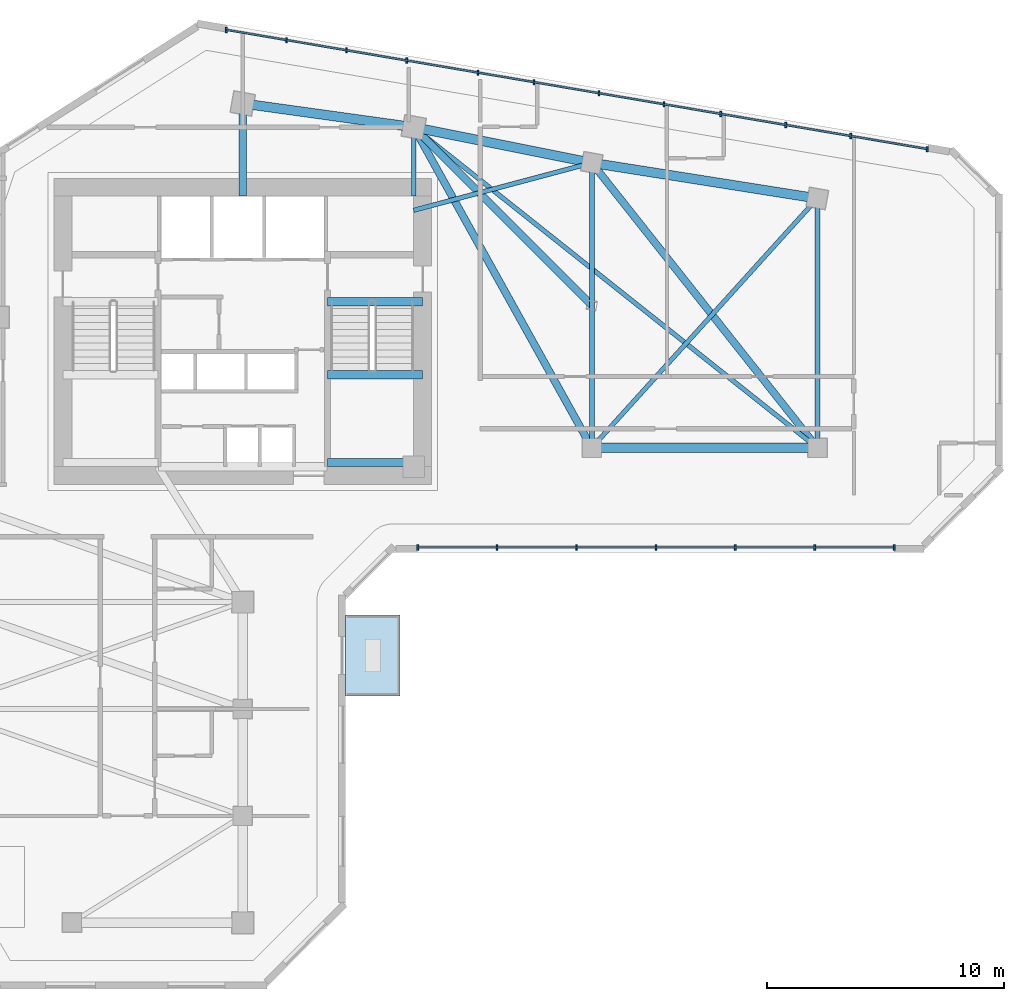
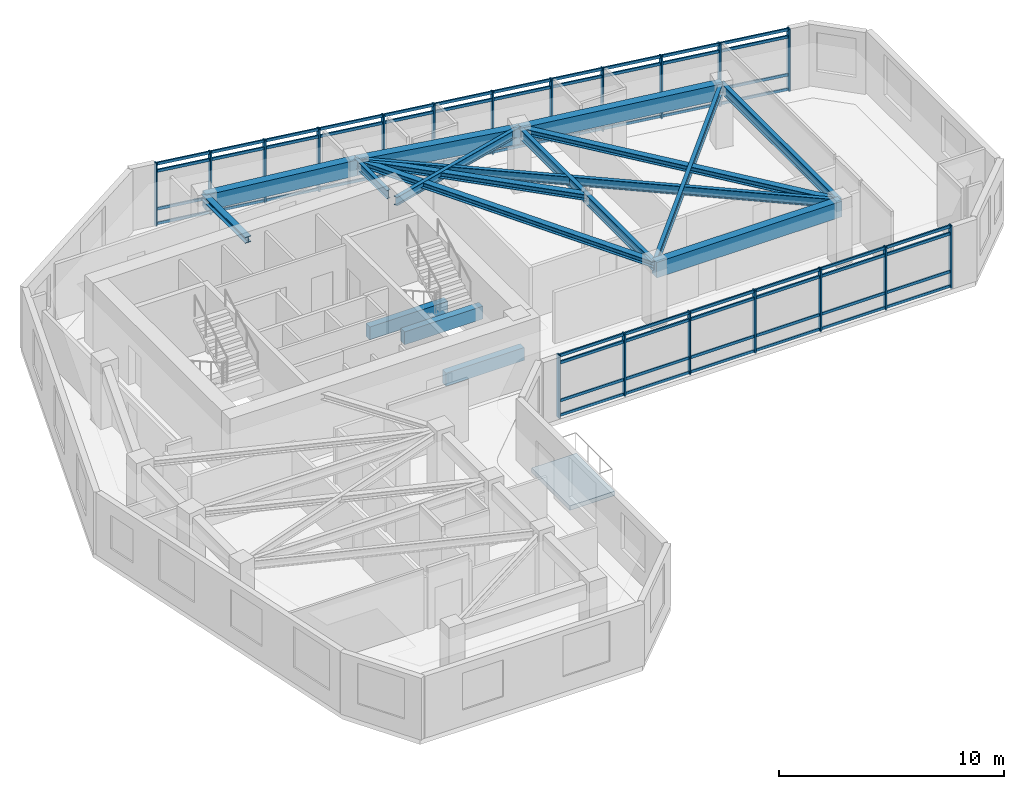
# One storey, part 2 of 10: 27 members, 17 beams, 1 slab, 2 elements without a shape of their own.
"""IFC4 building model written with IfcOpenShell, lengths in metres."""

from ifc_helpers import new_model, si_unit, direction, frame, origin, origin_2d, place, context, subcontext, project, spatial, polyline, rectangle, i_section, outline, extrude, source, transform, mapped, material, layer, layer_set, material_profile, profile_set, type_object, element, aggregate, save


model = new_model("IFC4")

# Units and contexts
model_context = context("Model", 3, precision=1e-05, world=origin(), true_north=direction((0.0, 1.0)))
body_context = subcontext(model_context, "Body", "Model", "MODEL_VIEW")
ifc_project = project(units=[si_unit("LENGTHUNIT", "METRE"), si_unit("AREAUNIT", "SQUARE_METRE"), si_unit("VOLUMEUNIT", "CUBIC_METRE"), si_unit("PLANEANGLEUNIT", "RADIAN"), si_unit("MASSUNIT", "GRAM", prefix="KILO")], contexts=[model_context])

# Site, building, storey
site_placement = place(None, origin())
site = spatial("IfcSite", under=ifc_project, at=site_placement, CompositionType="ELEMENT")
building_placement = place(site_placement, origin())
building = spatial("IfcBuilding", under=site, at=building_placement, Name="Calvemar Wedge Station Tower", CompositionType="ELEMENT")
storey_placement = place(building_placement, frame((0.0, 0.0, 150.199951171875)))
storey = spatial("IfcBuildingStorey", under=building, at=storey_placement, Name="L37", CompositionType="ELEMENT", Elevation=150.199951171875)

# Beams
ifc_material_1 = material(Name="Concrete C60", Category="concrete")
ifc_material_profile_1 = material_profile(ifc_material_1, rectangle(XDim=0.39990234375, YDim=0.85009765625, at=origin_2d()), Name="RC400x850")
ifc_profile_set_1 = profile_set([ifc_material_profile_1], Name="Concrete C60")
beam_type_1 = type_object("IfcBeamType", Name="BM-SP1-850", PredefinedType="SPANDREL", material=ifc_profile_set_1)
shared_shape_1 = source(origin(), body_context, "Body", "SweptSolid", [
    extrude(rectangle(XDim=0.39990234375, YDim=0.85009765625, at=origin_2d()), origin(), (0.0, 0.0, 1.0), 7.26904296875),
])
beam_1_placement = place(storey_placement, frame((23.800048828125, 49.5, 2.925048828125), z_axis=(0.990492146053, -0.13756928657, 0.0), x_axis=(0.13756928657, 0.990492146053, 0.0)))
element("IfcBeam", 1, at=beam_1_placement, inside=storey, type_object=beam_type_1, Name="Storey L37 Spandrel T-N1-T-N2", PredefinedType="SPANDREL", context=body_context, shape_type="MappedRepresentation", body=[
    mapped(shared_shape_1, transform((0.0, 0.0, 0.0), scale=1.0)),
])
shared_shape_2 = source(origin(), body_context, "Body", "SweptSolid", [
    extrude(rectangle(XDim=0.39990234375, YDim=0.85009765625, at=origin_2d()), origin(), (0.0, 0.0, 1.0), 7.6484375),
])
beam_2_placement = place(storey_placement, frame((31.0, 48.5, 2.925048828125), z_axis=(0.980580675691, -0.196116135138, 0.0), x_axis=(0.196116135138, 0.980580675691, 0.0)))
element("IfcBeam", 2, at=beam_2_placement, inside=storey, type_object=beam_type_1, Name="Storey L37 Spandrel T-N2-T-NU3", PredefinedType="SPANDREL", context=body_context, shape_type="MappedRepresentation", body=[
    mapped(shared_shape_2, transform((0.0, 0.0, 0.0), scale=1.0)),
])
shared_shape_3 = source(origin(), body_context, "Body", "SweptSolid", [
    extrude(rectangle(XDim=0.39990234375, YDim=0.85009765625, at=origin_2d()), origin(), (0.0, 0.0, 1.0), 9.61767578125),
])
beam_3_placement = place(storey_placement, frame((38.5, 47.0, 2.925048828125), z_axis=(0.987762965329, -0.155962573473, 0.0), x_axis=(0.155962573473, 0.987762965329, 0.0)))
element("IfcBeam", 3, at=beam_3_placement, inside=storey, type_object=beam_type_1, Name="Storey L37 Spandrel T-NU3-T-NU4", PredefinedType="SPANDREL", context=body_context, shape_type="MappedRepresentation", body=[
    mapped(shared_shape_3, transform((0.0, 0.0, 0.0), scale=1.0)),
])
shared_shape_4 = source(origin(), body_context, "Body", "SweptSolid", [
    extrude(rectangle(XDim=0.39990234375, YDim=0.85009765625, at=origin_2d()), origin(), (0.0, 0.0, 1.0), 9.5),
])
beam_4_placement = place(storey_placement, frame((38.5, 35.0, 2.925048828125), z_axis=(1.0, 0.0, 0.0), x_axis=(0.0, 1.0, 0.0)))
element("IfcBeam", 4, at=beam_4_placement, inside=storey, type_object=beam_type_1, Name="Storey L37 Spandrel T-NL2-T-NL3", PredefinedType="SPANDREL", context=body_context, shape_type="MappedRepresentation", body=[
    mapped(shared_shape_4, transform((0.0, 0.0, 0.0), scale=1.0)),
])
ifc_material_2 = material(Name="Structural steel ASTM A572 Grade 50", Category="steel")
ifc_material_profile_2 = material_profile(ifc_material_2, i_section(OverallWidth=0.30908203125, OverallDepth=0.322998046875, WebThickness=0.013916015625, FlangeThickness=0.02294921875, FilletRadius=0.014892578125, at=origin_2d()), Name="W310x143")
ifc_profile_set_2 = profile_set([ifc_material_profile_2], Name="Structural steel ASTM A572 Grade 50")
beam_type_2 = type_object("IfcBeamType", Name="BM-J5-W310H", PredefinedType="JOIST", material=ifc_profile_set_2)
shared_shape_5 = source(origin(), body_context, "Body", "SweptSolid", [
    extrude(i_section(OverallWidth=0.30908203125, OverallDepth=0.322998046875, WebThickness=0.013916015625, FlangeThickness=0.02294921875, FilletRadius=0.014892578125, at=origin_2d()), origin(), (0.0, 0.0, 1.0), 15.443359375),
])
beam_5_placement = place(storey_placement, frame((31.0, 48.5, 3.1884765625), z_axis=(0.485642931179, -0.874157276122, 0.0), x_axis=(0.874157276122, 0.485642931179, 0.0)))
element("IfcBeam", 5, at=beam_5_placement, inside=storey, type_object=beam_type_2, Name="Storey L37 Floor Beam T-N2-T-NL2", PredefinedType="JOIST", context=body_context, shape_type="MappedRepresentation", body=[
    mapped(shared_shape_5, transform((0.0, 0.0, 0.0), scale=1.0)),
])
ifc_material_profile_3 = material_profile(ifc_material_2, i_section(OverallWidth=0.19189453125, OverallDepth=0.462890625, WebThickness=0.010498046875, FlangeThickness=0.017578125, FilletRadius=0.012939453125, at=origin_2d()), Name="W460x89")
ifc_profile_set_3 = profile_set([ifc_material_profile_3], Name="Structural steel ASTM A572 Grade 50")
beam_type_3 = type_object("IfcBeamType", Name="BM-J1-W460", PredefinedType="JOIST", material=ifc_profile_set_3)
shared_shape_6 = source(origin(), body_context, "Body", "SweptSolid", [
    extrude(i_section(OverallWidth=0.19189453125, OverallDepth=0.462890625, WebThickness=0.010498046875, FlangeThickness=0.017578125, FilletRadius=0.012939453125, at=origin_2d()), origin(), (0.0, 0.0, 1.0), 21.708251953125),
])
beam_6_placement = place(storey_placement, frame((31.0, 48.5, 3.11865234375), z_axis=(0.783110847498, -0.621882143602, 0.0), x_axis=(0.621882143602, 0.783110847498, 0.0)))
element("IfcBeam", 6, at=beam_6_placement, inside=storey, type_object=beam_type_3, Name="Storey L37 Floor Beam T-N2-T-NL3", PredefinedType="JOIST", context=body_context, shape_type="MappedRepresentation", body=[
    mapped(shared_shape_6, transform((0.0, 0.0, 0.0), scale=1.0)),
])
shared_shape_7 = source(origin(), body_context, "Body", "SweptSolid", [
    extrude(i_section(OverallWidth=0.30908203125, OverallDepth=0.322998046875, WebThickness=0.013916015625, FlangeThickness=0.02294921875, FilletRadius=0.014892578125, at=origin_2d()), origin(), (0.0, 0.0, 1.0), 15.30517578125),
])
beam_7_placement = place(storey_placement, frame((38.5, 47.0, 3.1884765625), z_axis=(0.620702944366, -0.784045824462, 0.0), x_axis=(0.784045824462, 0.620702944366, 0.0)))
element("IfcBeam", 7, at=beam_7_placement, inside=storey, type_object=beam_type_2, Name="Storey L37 Floor Beam T-NU3-T-NL3", PredefinedType="JOIST", context=body_context, shape_type="MappedRepresentation", body=[
    mapped(shared_shape_7, transform((0.0, 0.0, 0.0), scale=1.0)),
])
shared_shape_8 = source(origin(), body_context, "Body", "SweptSolid", [
    extrude(i_section(OverallWidth=0.19189453125, OverallDepth=0.462890625, WebThickness=0.010498046875, FlangeThickness=0.017578125, FilletRadius=0.012939453125, at=origin_2d()), origin(), (0.0, 0.0, 1.0), 14.159912109375),
])
beam_8_placement = place(storey_placement, frame((38.5, 35.0, 3.11865234375), z_axis=(0.670913323969, 0.741535779124, 0.0), x_axis=(-0.741535779124, 0.670913323969, 0.0)))
element("IfcBeam", 8, at=beam_8_placement, inside=storey, type_object=beam_type_3, Name="Storey L37 Floor Beam T-NL2-T-NU4", PredefinedType="JOIST", context=body_context, shape_type="MappedRepresentation", body=[
    mapped(shared_shape_8, transform((0.0, 0.0, 0.0), scale=1.0)),
])
shared_shape_9 = source(origin(), body_context, "Body", "SweptSolid", [
    extrude(i_section(OverallWidth=0.19189453125, OverallDepth=0.462890625, WebThickness=0.010498046875, FlangeThickness=0.017578125, FilletRadius=0.012939453125, at=origin_2d()), origin(), (0.0, 0.0, 1.0), 7.76220703125),
])
beam_9_placement = place(storey_placement, frame((31.0, 45.0, 3.11865234375), z_axis=(0.966234939601, 0.25766265056, 0.0), x_axis=(-0.25766265056, 0.966234939601, 0.0)))
element("IfcBeam", 9, at=beam_9_placement, inside=storey, type_object=beam_type_3, Name="Storey L37 Core-to-Column Joist CJ-E2", PredefinedType="JOIST", context=body_context, shape_type="MappedRepresentation", body=[
    mapped(shared_shape_9, transform((0.0, 0.0, 0.0), scale=1.0)),
])
shared_shape_10 = source(origin(), body_context, "Body", "SweptSolid", [
    extrude(i_section(OverallWidth=0.30908203125, OverallDepth=0.322998046875, WebThickness=0.013916015625, FlangeThickness=0.02294921875, FilletRadius=0.014892578125, at=origin_2d()), origin(), (0.0, 0.0, 1.0), 3.89990234375),
])
beam_10_placement = place(storey_placement, frame((23.800048828125, 45.60009765625, 3.1884765625), z_axis=(0.0, 1.0, 0.0), x_axis=(-1.0, 0.0, 0.0)))
element("IfcBeam", 10, at=beam_10_placement, inside=storey, type_object=beam_type_2, Name="Storey L37 Core-to-Column Joist CJ-N1", PredefinedType="JOIST", context=body_context, shape_type="MappedRepresentation", body=[
    mapped(shared_shape_10, transform((0.0, 0.0, 0.0), scale=1.0)),
])
shared_shape_11 = source(origin(), body_context, "Body", "SweptSolid", [
    extrude(i_section(OverallWidth=0.19189453125, OverallDepth=0.462890625, WebThickness=0.010498046875, FlangeThickness=0.017578125, FilletRadius=0.012939453125, at=origin_2d()), origin(), (0.0, 0.0, 1.0), 2.89990234375),
])
beam_11_placement = place(storey_placement, frame((31.0, 45.60009765625, 3.11865234375), z_axis=(0.0, 1.0, 0.0), x_axis=(-1.0, 0.0, 0.0)))
element("IfcBeam", 11, at=beam_11_placement, inside=storey, type_object=beam_type_3, Name="Storey L37 Core-to-Column Joist CJ-N2", PredefinedType="JOIST", context=body_context, shape_type="MappedRepresentation", body=[
    mapped(shared_shape_11, transform((0.0, 0.0, 0.0), scale=1.0)),
])
ifc_material_3 = material(Name="Concrete C70", Category="concrete")
ifc_material_profile_4 = material_profile(ifc_material_3, rectangle(XDim=0.35009765625, YDim=0.699951171875, at=origin_2d()), Name="RC350x700")
ifc_profile_set_4 = profile_set([ifc_material_profile_4], Name="Concrete C70")
beam_type_4 = type_object("IfcBeamType", Name="BM-LN1-700", PredefinedType="LINTEL", material=ifc_profile_set_4)
shared_shape_12 = source(origin(), body_context, "Body", "SweptSolid", [
    extrude(rectangle(XDim=0.35009765625, YDim=0.699951171875, at=origin_2d()), origin(), (0.0, 0.0, 1.0), 4.0048828125),
])
for number, where, z_axis, x_axis, name in (
    (12, (27.3701171875, 41.14990234375, -0.349853515625), (1.0, 0.0, 0.0), (0.0, 1.0, 0.0), "Storey L37 Stair ST-C2 Landing Trimmer Beam"),
    (13, (27.3701171875, 34.3798828125, 1.25), (1.0, 0.0, 0.0), (0.0, 1.0, 0.0), "Storey L37 Stair ST-C2 Half-Landing Beam 1A"),
    (14, (27.3701171875, 38.070068359375, 1.25), (1.0, 0.0, 0.0), (0.0, 1.0, 0.0), "Storey L37 Stair ST-C2 Half-Landing Beam 1B"),
):
    element("IfcBeam", number, at=place(storey_placement, frame(where, z_axis=z_axis, x_axis=x_axis)), inside=storey, type_object=beam_type_4, Name=name, PredefinedType="LINTEL", context=body_context, shape_type="MappedRepresentation", body=[
        mapped(shared_shape_12, transform((0.0, 0.0, 0.0), scale=1.0)),
    ])
ifc_material_profile_5 = material_profile(ifc_material_2, i_section(OverallWidth=0.2109375, OverallDepth=0.5390625, WebThickness=0.01171875, FlangeThickness=0.018798828125, FilletRadius=0.012939453125, at=origin_2d()), Name="W530x109")
ifc_profile_set_5 = profile_set([ifc_material_profile_5], Name="Structural steel ASTM A572 Grade 50")
beam_type_5 = type_object("IfcBeamType", Name="BM-SB4-W530", PredefinedType="BEAM", material=ifc_profile_set_5)
shared_shape_13 = source(origin(), body_context, "Body", "SweptSolid", [
    extrude(i_section(OverallWidth=0.2109375, OverallDepth=0.5390625, WebThickness=0.01171875, FlangeThickness=0.018798828125, FilletRadius=0.012939453125, at=origin_2d()), origin(), (0.0, 0.0, 1.0), 12.0),
])
beam_12_placement = place(storey_placement, frame((38.5, 47.0, 3.08056640625), z_axis=(0.0, -1.0, 0.0), x_axis=(1.0, 0.0, 0.0)))
element("IfcBeam", 15, at=beam_12_placement, inside=storey, type_object=beam_type_5, Name="Storey L37 Floor Beam T-NU3-T-NL2", PredefinedType="BEAM", context=body_context, shape_type="MappedRepresentation", body=[
    mapped(shared_shape_13, transform((0.0, 0.0, 0.0), scale=1.0)),
])
shared_shape_14 = source(origin(), body_context, "Body", "SweptSolid", [
    extrude(i_section(OverallWidth=0.2109375, OverallDepth=0.5390625, WebThickness=0.01171875, FlangeThickness=0.018798828125, FilletRadius=0.012939453125, at=origin_2d()), origin(), (0.0, 0.0, 1.0), 10.5),
])
beam_13_placement = place(storey_placement, frame((48.0, 45.5, 3.08056640625), z_axis=(0.0, -1.0, 0.0), x_axis=(1.0, 0.0, 0.0)))
element("IfcBeam", 16, at=beam_13_placement, inside=storey, type_object=beam_type_5, Name="Storey L37 Floor Beam T-NU4-T-NL3", PredefinedType="BEAM", context=body_context, shape_type="MappedRepresentation", body=[
    mapped(shared_shape_14, transform((0.0, 0.0, 0.0), scale=1.0)),
])
shared_shape_15 = source(origin(), body_context, "Body", "SweptSolid", [
    extrude(i_section(OverallWidth=0.30908203125, OverallDepth=0.322998046875, WebThickness=0.013916015625, FlangeThickness=0.02294921875, FilletRadius=0.014892578125, at=origin_2d()), origin(), (0.0, 0.0, 1.0), 10.606689453125),
])
beam_14_placement = place(storey_placement, frame((38.5, 41.0, 3.1884765625), z_axis=(-0.707106781187, 0.707106781187, 0.0), x_axis=(-0.707106781187, -0.707106781187, 0.0)))
element("IfcBeam", 17, at=beam_14_placement, inside=storey, type_object=beam_type_2, Name="Storey L37 Floor Beam T-NTIP-B-T-N2", PredefinedType="JOIST", context=body_context, shape_type="MappedRepresentation", body=[
    mapped(shared_shape_15, transform((0.0, 0.0, 0.0), scale=1.0)),
])

# Curtain wall, members
ifc_material_4 = material(Name="Anodised aluminium 6063-T6", Category="aluminium")
curtain_wall_type = type_object("IfcCurtainWallType", Name="CW2", PredefinedType="NOTDEFINED", material=ifc_material_4)
curtain_wall_1_placement = place(storey_placement, origin())
curtain_wall_1 = element("IfcCurtainWall", 18, at=curtain_wall_1_placement, inside=storey, type_object=curtain_wall_type, Name="Storey L37 CW2 Recessed Unitised Curtain Wall 10", PredefinedType="NOTDEFINED")
ifc_material_profile_6 = material_profile(ifc_material_4, rectangle(XDim=0.074951171875, YDim=0.14990234375, at=origin_2d()), Name="AL-TRN-75x150")
ifc_profile_set_6 = profile_set([ifc_material_profile_6], Name="Anodised aluminium 6063-T6")
member_type_1 = type_object("IfcMemberType", Name="CW2-TRN", PredefinedType="USERDEFINED", material=ifc_profile_set_6)
shared_shape_16 = source(origin(), body_context, "Body", "SweptSolid", [
    extrude(rectangle(XDim=0.074951171875, YDim=0.14990234375, at=origin_2d()), origin(), (0.0, 0.0, 1.0), 29.950927734375),
])
member_1_placement = place(storey_placement, frame((52.63330078125, 47.577392578125, 0.06005859375), z_axis=(-0.985845487877, 0.167656416615, 0.0), x_axis=(-0.167656416615, -0.985845487877, 0.0)))
member_1 = element("IfcMember", 19, at=member_1_placement, type_object=member_type_1, Name="CW2 transom 1", ObjectType="TRANSOM", PredefinedType="USERDEFINED", context=body_context, shape_type="MappedRepresentation", body=[
    mapped(shared_shape_16, transform((0.0, 0.0, 0.0), scale=1.0)),
])
member_2_placement = place(storey_placement, frame((52.63330078125, 47.577392578125, 0.85009765625), z_axis=(-0.985845487877, 0.167656416615, 0.0), x_axis=(-0.167656416615, -0.985845487877, 0.0)))
member_2 = element("IfcMember", 20, at=member_2_placement, type_object=member_type_1, Name="CW2 transom 2", ObjectType="TRANSOM", PredefinedType="USERDEFINED", context=body_context, shape_type="MappedRepresentation", body=[
    mapped(shared_shape_16, transform((0.0, 0.0, 0.0), scale=1.0)),
])
member_3_placement = place(storey_placement, frame((52.63330078125, 47.577392578125, 2.900146484375), z_axis=(-0.985845487877, 0.167656416615, 0.0), x_axis=(-0.167656416615, -0.985845487877, 0.0)))
member_3 = element("IfcMember", 21, at=member_3_placement, type_object=member_type_1, Name="CW2 transom 3", ObjectType="TRANSOM", PredefinedType="USERDEFINED", context=body_context, shape_type="MappedRepresentation", body=[
    mapped(shared_shape_16, transform((0.0, 0.0, 0.0), scale=1.0)),
])
member_4_placement = place(storey_placement, frame((52.63330078125, 47.577392578125, 3.2900390625), z_axis=(-0.985845487877, 0.167656416615, 0.0), x_axis=(-0.167656416615, -0.985845487877, 0.0)))
member_4 = element("IfcMember", 22, at=member_4_placement, type_object=member_type_1, Name="CW2 transom 4", ObjectType="TRANSOM", PredefinedType="USERDEFINED", context=body_context, shape_type="MappedRepresentation", body=[
    mapped(shared_shape_16, transform((0.0, 0.0, 0.0), scale=1.0)),
])

curtain_wall_2_placement = place(storey_placement, origin())
curtain_wall_2 = element("IfcCurtainWall", 23, at=curtain_wall_2_placement, inside=storey, type_object=curtain_wall_type, Name="Storey L37 CW2 Recessed Unitised Curtain Wall 6", PredefinedType="NOTDEFINED")
ifc_material_profile_7 = material_profile(ifc_material_4, rectangle(XDim=0.074951171875, YDim=0.219970703125, at=origin_2d()), Name="AL-MUL-75x220")
ifc_profile_set_7 = profile_set([ifc_material_profile_7], Name="Anodised aluminium 6063-T6")
member_type_2 = type_object("IfcMemberType", Name="CW2-MUL", PredefinedType="MULLION", material=ifc_profile_set_7)
shared_shape_17 = source(origin(), body_context, "Body", "SweptSolid", [
    extrude(rectangle(XDim=0.074951171875, YDim=0.219970703125, at=origin_2d()), origin(), (0.0, 0.0, 1.0), 3.400146484375),
])
member_5_placement = place(storey_placement, frame((31.166015625, 30.802001953125, -0.050048828125), z_axis=(0.0, 0.0, 1.0), x_axis=(1.0, 0.0, 0.0)))
member_5 = element("IfcMember", 24, at=member_5_placement, type_object=member_type_2, Name="CW2 mullion 1", PredefinedType="MULLION", context=body_context, shape_type="MappedRepresentation", body=[
    mapped(shared_shape_17, transform((0.0, 0.0, 0.0), scale=1.0)),
])
member_6_placement = place(storey_placement, frame((34.51123046875, 30.802001953125, -0.050048828125), z_axis=(0.0, 0.0, 1.0), x_axis=(1.0, 0.0, 0.0)))
member_6 = element("IfcMember", 25, at=member_6_placement, type_object=member_type_2, Name="CW2 mullion 2", PredefinedType="MULLION", context=body_context, shape_type="MappedRepresentation", body=[
    mapped(shared_shape_17, transform((0.0, 0.0, 0.0), scale=1.0)),
])
member_7_placement = place(storey_placement, frame((37.856689453125, 30.802001953125, -0.050048828125), z_axis=(0.0, 0.0, 1.0), x_axis=(1.0, 0.0, 0.0)))
member_7 = element("IfcMember", 26, at=member_7_placement, type_object=member_type_2, Name="CW2 mullion 3", PredefinedType="MULLION", context=body_context, shape_type="MappedRepresentation", body=[
    mapped(shared_shape_17, transform((0.0, 0.0, 0.0), scale=1.0)),
])
member_8_placement = place(storey_placement, frame((41.201904296875, 30.802001953125, -0.050048828125), z_axis=(0.0, 0.0, 1.0), x_axis=(1.0, 0.0, 0.0)))
member_8 = element("IfcMember", 27, at=member_8_placement, type_object=member_type_2, Name="CW2 mullion 4", PredefinedType="MULLION", context=body_context, shape_type="MappedRepresentation", body=[
    mapped(shared_shape_17, transform((0.0, 0.0, 0.0), scale=1.0)),
])
member_9_placement = place(storey_placement, frame((44.547119140625, 30.802001953125, -0.050048828125), z_axis=(0.0, 0.0, 1.0), x_axis=(1.0, 0.0, 0.0)))
member_9 = element("IfcMember", 28, at=member_9_placement, type_object=member_type_2, Name="CW2 mullion 5", PredefinedType="MULLION", context=body_context, shape_type="MappedRepresentation", body=[
    mapped(shared_shape_17, transform((0.0, 0.0, 0.0), scale=1.0)),
])
member_10_placement = place(storey_placement, frame((47.892578125, 30.802001953125, -0.050048828125), z_axis=(0.0, 0.0, 1.0), x_axis=(1.0, 0.0, 0.0)))
member_10 = element("IfcMember", 29, at=member_10_placement, type_object=member_type_2, Name="CW2 mullion 6", PredefinedType="MULLION", context=body_context, shape_type="MappedRepresentation", body=[
    mapped(shared_shape_17, transform((0.0, 0.0, 0.0), scale=1.0)),
])
member_11_placement = place(storey_placement, frame((51.23779296875, 30.802001953125, -0.050048828125), z_axis=(0.0, 0.0, 1.0), x_axis=(1.0, 0.0, 0.0)))
member_11 = element("IfcMember", 30, at=member_11_placement, type_object=member_type_2, Name="CW2 mullion 7", PredefinedType="MULLION", context=body_context, shape_type="MappedRepresentation", body=[
    mapped(shared_shape_17, transform((0.0, 0.0, 0.0), scale=1.0)),
])

# Member
member_12_placement = place(storey_placement, frame((52.63330078125, 47.577392578125, -0.050048828125), z_axis=(0.0, 0.0, 1.0), x_axis=(1.0, 0.0, 0.0)))
member_12 = element("IfcMember", 31, at=member_12_placement, type_object=member_type_2, Name="CW2 mullion 1", PredefinedType="MULLION", context=body_context, shape_type="MappedRepresentation", body=[
    mapped(shared_shape_17, transform((0.0, 0.0, 0.0), scale=1.0)),
])

member_13_placement = place(storey_placement, frame((49.40625, 48.126220703125, -0.050048828125), z_axis=(0.0, 0.0, 1.0), x_axis=(1.0, 0.0, 0.0)))
member_13 = element("IfcMember", 32, at=member_13_placement, type_object=member_type_2, Name="CW2 mullion 2", PredefinedType="MULLION", context=body_context, shape_type="MappedRepresentation", body=[
    mapped(shared_shape_17, transform((0.0, 0.0, 0.0), scale=1.0)),
])

member_14_placement = place(storey_placement, frame((46.67236328125, 48.591064453125, -0.050048828125), z_axis=(0.0, 0.0, 1.0), x_axis=(1.0, 0.0, 0.0)))
member_14 = element("IfcMember", 33, at=member_14_placement, type_object=member_type_2, Name="CW2 mullion 3", PredefinedType="MULLION", context=body_context, shape_type="MappedRepresentation", body=[
    mapped(shared_shape_17, transform((0.0, 0.0, 0.0), scale=1.0)),
])

member_15_placement = place(storey_placement, frame((43.938232421875, 49.05615234375, -0.050048828125), z_axis=(0.0, 0.0, 1.0), x_axis=(1.0, 0.0, 0.0)))
member_15 = element("IfcMember", 34, at=member_15_placement, type_object=member_type_2, Name="CW2 mullion 4", PredefinedType="MULLION", context=body_context, shape_type="MappedRepresentation", body=[
    mapped(shared_shape_17, transform((0.0, 0.0, 0.0), scale=1.0)),
])

member_16_placement = place(storey_placement, frame((41.5380859375, 49.46435546875, -0.050048828125), z_axis=(0.0, 0.0, 1.0), x_axis=(1.0, 0.0, 0.0)))
member_16 = element("IfcMember", 35, at=member_16_placement, type_object=member_type_2, Name="CW2 mullion 5", PredefinedType="MULLION", context=body_context, shape_type="MappedRepresentation", body=[
    mapped(shared_shape_17, transform((0.0, 0.0, 0.0), scale=1.0)),
])

member_17_placement = place(storey_placement, frame((38.8046875, 49.92919921875, -0.050048828125), z_axis=(0.0, 0.0, 1.0), x_axis=(1.0, 0.0, 0.0)))
member_17 = element("IfcMember", 36, at=member_17_placement, type_object=member_type_2, Name="CW2 mullion 6", PredefinedType="MULLION", context=body_context, shape_type="MappedRepresentation", body=[
    mapped(shared_shape_17, transform((0.0, 0.0, 0.0), scale=1.0)),
])

member_18_placement = place(storey_placement, frame((36.0712890625, 50.39404296875, -0.050048828125), z_axis=(0.0, 0.0, 1.0), x_axis=(1.0, 0.0, 0.0)))
member_18 = element("IfcMember", 37, at=member_18_placement, type_object=member_type_2, Name="CW2 mullion 7", PredefinedType="MULLION", context=body_context, shape_type="MappedRepresentation", body=[
    mapped(shared_shape_17, transform((0.0, 0.0, 0.0), scale=1.0)),
])

member_19_placement = place(storey_placement, frame((33.7080078125, 50.7958984375, -0.050048828125), z_axis=(0.0, 0.0, 1.0), x_axis=(1.0, 0.0, 0.0)))
member_19 = element("IfcMember", 38, at=member_19_placement, type_object=member_type_2, Name="CW2 mullion 8", PredefinedType="MULLION", context=body_context, shape_type="MappedRepresentation", body=[
    mapped(shared_shape_17, transform((0.0, 0.0, 0.0), scale=1.0)),
])

member_20_placement = place(storey_placement, frame((30.7080078125, 51.30615234375, -0.050048828125), z_axis=(0.0, 0.0, 1.0), x_axis=(1.0, 0.0, 0.0)))
member_20 = element("IfcMember", 39, at=member_20_placement, type_object=member_type_2, Name="CW2 mullion 9", PredefinedType="MULLION", context=body_context, shape_type="MappedRepresentation", body=[
    mapped(shared_shape_17, transform((0.0, 0.0, 0.0), scale=1.0)),
])

member_21_placement = place(storey_placement, frame((28.17431640625, 51.737060546875, -0.050048828125), z_axis=(0.0, 0.0, 1.0), x_axis=(1.0, 0.0, 0.0)))
member_21 = element("IfcMember", 40, at=member_21_placement, type_object=member_type_2, Name="CW2 mullion 10", PredefinedType="MULLION", context=body_context, shape_type="MappedRepresentation", body=[
    mapped(shared_shape_17, transform((0.0, 0.0, 0.0), scale=1.0)),
])

member_22_placement = place(storey_placement, frame((25.64013671875, 52.16796875, -0.050048828125), z_axis=(0.0, 0.0, 1.0), x_axis=(1.0, 0.0, 0.0)))
member_22 = element("IfcMember", 41, at=member_22_placement, type_object=member_type_2, Name="CW2 mullion 11", PredefinedType="MULLION", context=body_context, shape_type="MappedRepresentation", body=[
    mapped(shared_shape_17, transform((0.0, 0.0, 0.0), scale=1.0)),
])

member_23_placement = place(storey_placement, frame((23.106201171875, 52.598876953125, -0.050048828125), z_axis=(0.0, 0.0, 1.0), x_axis=(1.0, 0.0, 0.0)))
member_23 = element("IfcMember", 42, at=member_23_placement, type_object=member_type_2, Name="CW2 mullion 12", PredefinedType="MULLION", context=body_context, shape_type="MappedRepresentation", body=[
    mapped(shared_shape_17, transform((0.0, 0.0, 0.0), scale=1.0)),
])

aggregate(curtain_wall_1, [member_12, member_13, member_14, member_15, member_16, member_17, member_18, member_19, member_20, member_21, member_22, member_23, member_1, member_2, member_3, member_4])

shared_shape_18 = source(origin(), body_context, "Body", "SweptSolid", [
    extrude(rectangle(XDim=0.074951171875, YDim=0.14990234375, at=origin_2d()), origin(), (0.0, 0.0, 1.0), 20.07177734375),
])
member_24_placement = place(storey_placement, frame((31.166015625, 30.802001953125, 0.06005859375), z_axis=(1.0, 0.0, 0.0), x_axis=(0.0, 1.0, 0.0)))
member_24 = element("IfcMember", 43, at=member_24_placement, type_object=member_type_1, Name="CW2 transom 1", ObjectType="TRANSOM", PredefinedType="USERDEFINED", context=body_context, shape_type="MappedRepresentation", body=[
    mapped(shared_shape_18, transform((0.0, 0.0, 0.0), scale=1.0)),
])

member_25_placement = place(storey_placement, frame((31.166015625, 30.802001953125, 0.85009765625), z_axis=(1.0, 0.0, 0.0), x_axis=(0.0, 1.0, 0.0)))
member_25 = element("IfcMember", 44, at=member_25_placement, type_object=member_type_1, Name="CW2 transom 2", ObjectType="TRANSOM", PredefinedType="USERDEFINED", context=body_context, shape_type="MappedRepresentation", body=[
    mapped(shared_shape_18, transform((0.0, 0.0, 0.0), scale=1.0)),
])

member_26_placement = place(storey_placement, frame((31.166015625, 30.802001953125, 2.900146484375), z_axis=(1.0, 0.0, 0.0), x_axis=(0.0, 1.0, 0.0)))
member_26 = element("IfcMember", 45, at=member_26_placement, type_object=member_type_1, Name="CW2 transom 3", ObjectType="TRANSOM", PredefinedType="USERDEFINED", context=body_context, shape_type="MappedRepresentation", body=[
    mapped(shared_shape_18, transform((0.0, 0.0, 0.0), scale=1.0)),
])

member_27_placement = place(storey_placement, frame((31.166015625, 30.802001953125, 3.2900390625), z_axis=(1.0, 0.0, 0.0), x_axis=(0.0, 1.0, 0.0)))
member_27 = element("IfcMember", 46, at=member_27_placement, type_object=member_type_1, Name="CW2 transom 4", ObjectType="TRANSOM", PredefinedType="USERDEFINED", context=body_context, shape_type="MappedRepresentation", body=[
    mapped(shared_shape_18, transform((0.0, 0.0, 0.0), scale=1.0)),
])

aggregate(curtain_wall_2, [member_5, member_6, member_7, member_8, member_9, member_10, member_11, member_24, member_25, member_26, member_27])

# Slab
ifc_material_5 = material(Name="Concrete C45", Category="concrete")
ifc_layer = layer(ifc_material_5, 0.239990234375)
ifc_layer_set = layer_set([ifc_layer], Name="Concrete C45")
slab_type = type_object("IfcSlabType", Name="SL-TERR-240", PredefinedType="FLOOR", material=ifc_layer_set)
slab_placement = place(storey_placement, frame((0.0, 0.0, -0.239990234375)))
element("IfcSlab", 47, at=slab_placement, inside=storey, type_object=slab_type, Name="Storey L37 Planted Spiral Terrace Slab", PredefinedType="FLOOR", context=body_context, shape_type="SweptSolid", body=[
    extrude(outline(polyline([(28.1279296875, 24.550048828125), (30.427978515625, 24.550048828125), (30.427978515625, 27.949951171875), (28.1279296875, 27.949951171875), (28.1279296875, 24.550048828125)])), origin(), (0.0, 0.0, 1.0), 0.239990234375),
])

save(model, "model.ifc")
